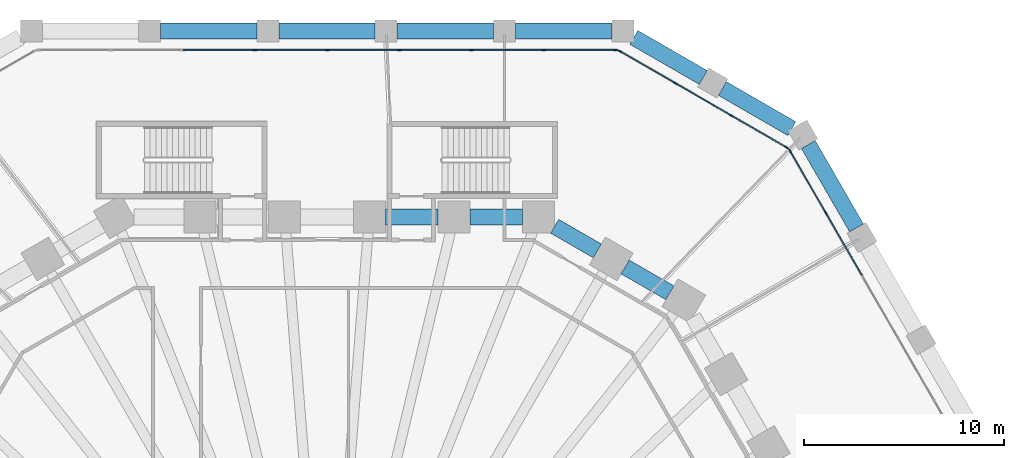
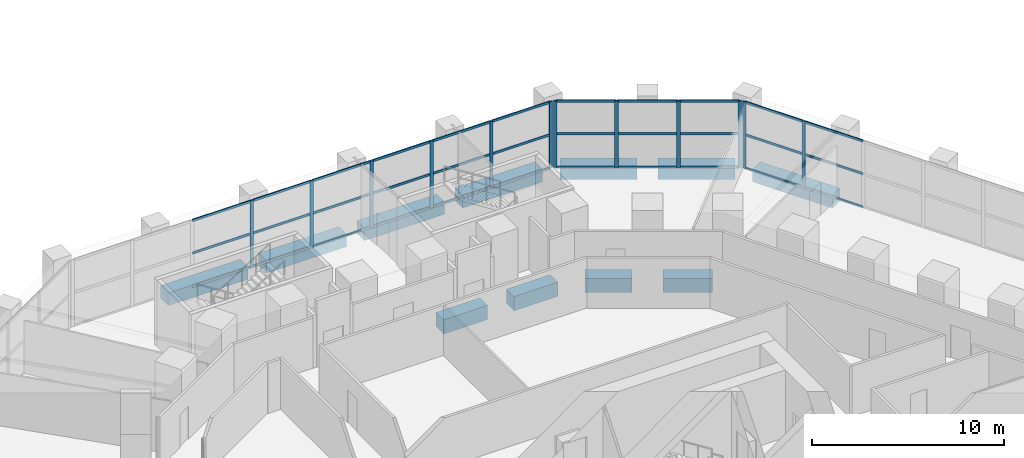
# One storey, part 13 of 38: 45 members, 11 beams, 3 elements without a shape of their own.
"""IFC4 building model written with IfcOpenShell, lengths in metres."""

from ifc_helpers import new_model, si_unit, direction, frame, origin, origin_2d, place, context, subcontext, project, spatial, rectangle, extrude, material, material_profile, profile_set, type_object, element, aggregate, save


model = new_model("IFC4")

# Units and contexts
model_context = context("Model", 3, precision=1e-05, world=origin(), true_north=direction((0.0, 1.0)))
body_context = subcontext(model_context, "Body", "Model", "MODEL_VIEW")
ifc_project = project(units=[si_unit("LENGTHUNIT", "METRE"), si_unit("AREAUNIT", "SQUARE_METRE"), si_unit("VOLUMEUNIT", "CUBIC_METRE"), si_unit("PLANEANGLEUNIT", "RADIAN"), si_unit("MASSUNIT", "GRAM", prefix="KILO")], contexts=[model_context])

# Site, building, storey
site_placement = place(None, origin())
site = spatial("IfcSite", under=ifc_project, at=site_placement, CompositionType="ELEMENT")
building_placement = place(site_placement, origin())
building = spatial("IfcBuilding", under=site, at=building_placement, Name="Frailejon Research Tower", CompositionType="ELEMENT")
storey_placement = place(building_placement, frame((0.0, 0.0, 5.60009765625)))
storey = spatial("IfcBuildingStorey", under=building, at=storey_placement, Name="L01", CompositionType="ELEMENT", Elevation=5.60009765625)

# Beams
ifc_material_1 = material(Name="Concrete C60/75", Category="concrete")
ifc_material_profile_1 = material_profile(ifc_material_1, rectangle(XDim=0.800048828125, YDim=0.800048828125, at=origin_2d()), Name="Base ring beam")
ifc_profile_set_1 = profile_set([ifc_material_profile_1], Name="Concrete C60/75")
beam_type_1 = type_object("IfcBeamType", Name="Base ring beam", PredefinedType="BEAM", material=ifc_profile_set_1)
beam_1_placement = place(storey_placement, frame((26.466552734375, 26.15869140625, -0.75), z_axis=(-0.500028306193, 0.866009060579, 0.0), x_axis=(-0.866009060579, -0.500028306193, 0.0)))
element("IfcBeam", 1, at=beam_1_placement, inside=storey, type_object=beam_type_1, Name="Base ring beam", PredefinedType="BEAM", context=body_context, shape_type="SweptSolid", body=[
    extrude(rectangle(XDim=0.800048828125, YDim=0.800048828125, at=origin_2d()), origin(), (0.0, 0.0, 1.0), 4.813720703125),
])
for number, where, z_axis, x_axis, name in (
    (2, (23.234619140625, 31.121337890625, -0.75), (-0.866013269967, 0.500021015799, 0.0), (-0.500021015799, -0.866013269967, 0.0), "Base ring beam"),
    (3, (18.808349609375, 33.677001953125, -0.75), (-0.866013269967, 0.500021015799, 0.0), (-0.500021015799, -0.866013269967, 0.0), "Base ring beam"),
):
    element("IfcBeam", number, at=place(storey_placement, frame(where, z_axis=z_axis, x_axis=x_axis)), inside=storey, type_object=beam_type_1, Name=name, PredefinedType="BEAM", context=body_context, shape_type="SweptSolid", body=[
        extrude(rectangle(XDim=0.800048828125, YDim=0.800048828125, at=origin_2d()), origin(), (0.0, 0.0, 1.0), 4.010986328125),
    ])
beam_2_placement = place(storey_placement, frame((14.234619140625, 36.0, -0.75), z_axis=(-1.0, 0.0, 0.0), x_axis=(0.0, -1.0, 0.0)))
element("IfcBeam", 4, at=beam_2_placement, inside=storey, type_object=beam_type_1, Name="Base ring beam", PredefinedType="BEAM", context=body_context, shape_type="SweptSolid", body=[
    extrude(rectangle(XDim=0.800048828125, YDim=0.800048828125, at=origin_2d()), origin(), (0.0, 0.0, 1.0), 4.813720703125),
])
for number, where, z_axis, x_axis, name in (
    (5, (8.32080078125, 36.0, -0.75), (-1.0, 0.0, 0.0), (0.0, -1.0, 0.0), "Base ring beam"),
    (6, (2.406982421875, 36.0, -0.75), (-1.0, 0.0, 0.0), (0.0, -1.0, 0.0), "Base ring beam"),
    (7, (-3.5068359375, 36.0, -0.75), (-1.0, 0.0, 0.0), (0.0, -1.0, 0.0), "Base ring beam"),
):
    element("IfcBeam", number, at=place(storey_placement, frame(where, z_axis=z_axis, x_axis=x_axis)), inside=storey, type_object=beam_type_1, Name=name, PredefinedType="BEAM", context=body_context, shape_type="SweptSolid", body=[
        extrude(rectangle(XDim=0.800048828125, YDim=0.800048828125, at=origin_2d()), origin(), (0.0, 0.0, 1.0), 4.81396484375),
    ])
ifc_material_2 = material(Name="Concrete C60/75", Category="concrete")
ifc_material_profile_2 = material_profile(ifc_material_2, rectangle(XDim=0.800048828125, YDim=0.89990234375, at=origin_2d()), Name="Podium ring beam")
ifc_profile_set_2 = profile_set([ifc_material_profile_2], Name="Concrete C60/75")
beam_type_2 = type_object("IfcBeamType", Name="Podium ring beam", PredefinedType="BEAM", material=ifc_profile_set_2)
beam_3_placement = place(storey_placement, frame((17.14013671875, 22.912353515625, -0.800048828125), z_axis=(-0.866004899711, 0.500035512416, 0.0), x_axis=(-0.500035512416, -0.866004899711, 0.0)))
element("IfcBeam", 8, at=beam_3_placement, inside=storey, type_object=beam_type_2, Name="Podium ring beam", PredefinedType="BEAM", context=body_context, shape_type="SweptSolid", body=[
    extrude(rectangle(XDim=0.800048828125, YDim=0.89990234375, at=origin_2d()), origin(), (0.0, 0.0, 1.0), 2.587646484375),
])
beam_4_placement = place(storey_placement, frame((13.513671875, 25.006103515625, -0.800048828125), z_axis=(-0.86602717807, 0.499996926835, 0.0), x_axis=(-0.499996926835, -0.86602717807, 0.0)))
element("IfcBeam", 9, at=beam_4_placement, inside=storey, type_object=beam_type_2, Name="Podium ring beam", PredefinedType="BEAM", context=body_context, shape_type="SweptSolid", body=[
    extrude(rectangle(XDim=0.800048828125, YDim=0.89990234375, at=origin_2d()), origin(), (0.0, 0.0, 1.0), 2.4638671875),
])
for number, where, z_axis, x_axis, name in (
    (10, (9.77978515625, 26.699951171875, -0.800048828125), (-1.0, 0.0, 0.0), (0.0, -1.0, 0.0), "Podium ring beam"),
    (11, (5.5478515625, 26.699951171875, -0.800048828125), (-1.0, 0.0, 0.0), (0.0, -1.0, 0.0), "Podium ring beam"),
):
    element("IfcBeam", number, at=place(storey_placement, frame(where, z_axis=z_axis, x_axis=x_axis)), inside=storey, type_object=beam_type_2, Name=name, PredefinedType="BEAM", context=body_context, shape_type="SweptSolid", body=[
        extrude(rectangle(XDim=0.800048828125, YDim=0.89990234375, at=origin_2d()), origin(), (0.0, 0.0, 1.0), 2.6318359375),
    ])

# Curtain wall, members
ifc_material_3 = material(Name="Aluminium curtain wall", Category="aluminium")
curtain_wall_type = type_object("IfcCurtainWallType", Name="Podium stick curtain wall system", PredefinedType="NOTDEFINED", material=ifc_material_3)
curtain_wall_1_placement = place(storey_placement, origin())
curtain_wall_1 = element("IfcCurtainWall", 12, at=curtain_wall_1_placement, inside=storey, type_object=curtain_wall_type, Name="Curtain wall L01", PredefinedType="NOTDEFINED")
ifc_material_4 = material(Name="Aluminium extrusion", Category="aluminium")
ifc_material_profile_3 = material_profile(ifc_material_4, rectangle(XDim=0.06005859375, YDim=0.199951171875, at=origin_2d()), Name="Podium stick curtain wall mullion 60x200")
ifc_profile_set_3 = profile_set([ifc_material_profile_3], Name="Aluminium extrusion")
member_type_1 = type_object("IfcMemberType", Name="Podium stick curtain wall mullion 60x200", PredefinedType="MULLION", material=ifc_profile_set_3)
member_1_placement = place(storey_placement, frame((24.94287109375, 26.897705078125, 0.0), z_axis=(0.0, 0.0, 1.0), x_axis=(-0.86602632934, -0.499998396888, 0.0)))
member_1 = element("IfcMember", 13, at=member_1_placement, type_object=member_type_1, Name="CW2-022 mullion 8", PredefinedType="MULLION", context=body_context, shape_type="SweptSolid", body=[
    extrude(rectangle(XDim=0.06005859375, YDim=0.199951171875, at=origin_2d()), origin(), (0.0, 0.0, 1.0), 4.25),
])
member_2_placement = place(storey_placement, frame((23.154296875, 29.995849609375, 0.0), z_axis=(0.0, 0.0, 1.0), x_axis=(-0.86602632934, -0.499998396888, 0.0)))
member_2 = element("IfcMember", 14, at=member_2_placement, type_object=member_type_1, Name="CW2-022 mullion 9", PredefinedType="MULLION", context=body_context, shape_type="SweptSolid", body=[
    extrude(rectangle(XDim=0.06005859375, YDim=0.199951171875, at=origin_2d()), origin(), (0.0, 0.0, 1.0), 4.25),
])

curtain_wall_2_placement = place(storey_placement, origin())
curtain_wall_2 = element("IfcCurtainWall", 15, at=curtain_wall_2_placement, inside=storey, type_object=curtain_wall_type, Name="Curtain wall L01", PredefinedType="NOTDEFINED")
member_3_placement = place(storey_placement, frame((22.9765625, 30.17333984375, 0.0), z_axis=(0.0, 0.0, 1.0), x_axis=(-0.499999874334, -0.866025476338, 0.0)))
member_3 = element("IfcMember", 16, at=member_3_placement, type_object=member_type_1, Name="CW2-023 mullion 1", PredefinedType="MULLION", context=body_context, shape_type="SweptSolid", body=[
    extrude(rectangle(XDim=0.06005859375, YDim=0.199951171875, at=origin_2d()), origin(), (0.0, 0.0, 1.0), 4.25),
])
member_4_placement = place(storey_placement, frame((20.207275390625, 31.772216796875, 0.0), z_axis=(0.0, 0.0, 1.0), x_axis=(-0.499999874334, -0.866025476338, 0.0)))
member_4 = element("IfcMember", 17, at=member_4_placement, type_object=member_type_1, Name="CW2-023 mullion 2", PredefinedType="MULLION", context=body_context, shape_type="SweptSolid", body=[
    extrude(rectangle(XDim=0.06005859375, YDim=0.199951171875, at=origin_2d()), origin(), (0.0, 0.0, 1.0), 4.25),
])
member_5_placement = place(storey_placement, frame((17.412109375, 33.38623046875, 0.0), z_axis=(0.0, 0.0, 1.0), x_axis=(-0.499999874334, -0.866025476338, 0.0)))
member_5 = element("IfcMember", 18, at=member_5_placement, type_object=member_type_1, Name="CW2-023 mullion 3", PredefinedType="MULLION", context=body_context, shape_type="SweptSolid", body=[
    extrude(rectangle(XDim=0.06005859375, YDim=0.199951171875, at=origin_2d()), origin(), (0.0, 0.0, 1.0), 4.25),
])
member_6_placement = place(storey_placement, frame((14.642578125, 34.985107421875, 0.0), z_axis=(0.0, 0.0, 1.0), x_axis=(-0.499999874334, -0.866025476338, 0.0)))
member_6 = element("IfcMember", 19, at=member_6_placement, type_object=member_type_1, Name="CW2-023 mullion 4", PredefinedType="MULLION", context=body_context, shape_type="SweptSolid", body=[
    extrude(rectangle(XDim=0.06005859375, YDim=0.199951171875, at=origin_2d()), origin(), (0.0, 0.0, 1.0), 4.25),
])

curtain_wall_3_placement = place(storey_placement, origin())
curtain_wall_3 = element("IfcCurtainWall", 20, at=curtain_wall_3_placement, inside=storey, type_object=curtain_wall_type, Name="Curtain wall L01", PredefinedType="NOTDEFINED")
member_7_placement = place(storey_placement, frame((14.400146484375, 35.050048828125, 0.0), z_axis=(0.0, 0.0, 1.0), x_axis=(0.0, -1.0, 0.0)))
member_7 = element("IfcMember", 21, at=member_7_placement, type_object=member_type_1, Name="CW2-024 mullion 1", PredefinedType="MULLION", context=body_context, shape_type="SweptSolid", body=[
    extrude(rectangle(XDim=0.06005859375, YDim=0.199951171875, at=origin_2d()), origin(), (0.0, 0.0, 1.0), 4.25),
])
member_8_placement = place(storey_placement, frame((10.822509765625, 35.050048828125, 0.0), z_axis=(0.0, 0.0, 1.0), x_axis=(0.0, -1.0, 0.0)))
member_8 = element("IfcMember", 22, at=member_8_placement, type_object=member_type_1, Name="CW2-024 mullion 2", PredefinedType="MULLION", context=body_context, shape_type="SweptSolid", body=[
    extrude(rectangle(XDim=0.06005859375, YDim=0.199951171875, at=origin_2d()), origin(), (0.0, 0.0, 1.0), 4.25),
])
member_9_placement = place(storey_placement, frame((7.215087890625, 35.050048828125, 0.0), z_axis=(0.0, 0.0, 1.0), x_axis=(0.0, -1.0, 0.0)))
member_9 = element("IfcMember", 23, at=member_9_placement, type_object=member_type_1, Name="CW2-024 mullion 3", PredefinedType="MULLION", context=body_context, shape_type="SweptSolid", body=[
    extrude(rectangle(XDim=0.06005859375, YDim=0.199951171875, at=origin_2d()), origin(), (0.0, 0.0, 1.0), 4.25),
])
member_10_placement = place(storey_placement, frame((3.607421875, 35.050048828125, 0.0), z_axis=(0.0, 0.0, 1.0), x_axis=(0.0, -1.0, 0.0)))
member_10 = element("IfcMember", 24, at=member_10_placement, type_object=member_type_1, Name="CW2-024 mullion 4", PredefinedType="MULLION", context=body_context, shape_type="SweptSolid", body=[
    extrude(rectangle(XDim=0.06005859375, YDim=0.199951171875, at=origin_2d()), origin(), (0.0, 0.0, 1.0), 4.25),
])
member_11_placement = place(storey_placement, frame((0.0, 35.050048828125, 0.0), z_axis=(0.0, 0.0, 1.0), x_axis=(0.0, -1.0, 0.0)))
member_11 = element("IfcMember", 25, at=member_11_placement, type_object=member_type_1, Name="CW2-024 mullion 5", PredefinedType="MULLION", context=body_context, shape_type="SweptSolid", body=[
    extrude(rectangle(XDim=0.06005859375, YDim=0.199951171875, at=origin_2d()), origin(), (0.0, 0.0, 1.0), 4.25),
])
member_12_placement = place(storey_placement, frame((-3.607421875, 35.050048828125, 0.0), z_axis=(0.0, 0.0, 1.0), x_axis=(0.0, -1.0, 0.0)))
member_12 = element("IfcMember", 26, at=member_12_placement, type_object=member_type_1, Name="CW2-024 mullion 6", PredefinedType="MULLION", context=body_context, shape_type="SweptSolid", body=[
    extrude(rectangle(XDim=0.06005859375, YDim=0.199951171875, at=origin_2d()), origin(), (0.0, 0.0, 1.0), 4.25),
])

# Member
ifc_material_5 = material(Name="Aluminium extrusion", Category="aluminium")
ifc_material_profile_4 = material_profile(ifc_material_5, rectangle(XDim=0.06005859375, YDim=0.14990234375, at=origin_2d()), Name="Podium stick curtain wall transom 60x150")
ifc_profile_set_4 = profile_set([ifc_material_profile_4], Name="Aluminium extrusion")
member_type_2 = type_object("IfcMemberType", Name="Podium stick curtain wall transom 60x150", PredefinedType="USERDEFINED", material=ifc_profile_set_4)
member_13_placement = place(storey_placement, frame((26.731689453125, 23.79931640625, 0.02978515625), z_axis=(-0.499980603476, 0.866036602083, 0.0), x_axis=(-0.866036602083, -0.499980603476, 0.0)))
member_13 = element("IfcMember", 27, at=member_13_placement, type_object=member_type_2, Name="CW2-022 transom 7.1", ObjectType="TRANSOM", PredefinedType="USERDEFINED", context=body_context, shape_type="SweptSolid", body=[
    extrude(rectangle(XDim=0.06005859375, YDim=0.14990234375, at=origin_2d()), origin(), (0.0, 0.0, 1.0), 3.547607421875),
])

member_14_placement = place(storey_placement, frame((26.731689453125, 23.79931640625, 2.14990234375), z_axis=(-0.499980603476, 0.866036602083, 0.0), x_axis=(-0.866036602083, -0.499980603476, 0.0)))
member_14 = element("IfcMember", 28, at=member_14_placement, type_object=member_type_2, Name="CW2-022 transom 7.2", ObjectType="TRANSOM", PredefinedType="USERDEFINED", context=body_context, shape_type="SweptSolid", body=[
    extrude(rectangle(XDim=0.06005859375, YDim=0.14990234375, at=origin_2d()), origin(), (0.0, 0.0, 1.0), 3.547607421875),
])

member_15_placement = place(storey_placement, frame((26.731689453125, 23.79931640625, 4.219970703125), z_axis=(-0.499980603476, 0.866036602083, 0.0), x_axis=(-0.866036602083, -0.499980603476, 0.0)))
member_15 = element("IfcMember", 29, at=member_15_placement, type_object=member_type_2, Name="CW2-022 transom 7.3", ObjectType="TRANSOM", PredefinedType="USERDEFINED", context=body_context, shape_type="SweptSolid", body=[
    extrude(rectangle(XDim=0.06005859375, YDim=0.14990234375, at=origin_2d()), origin(), (0.0, 0.0, 1.0), 3.547607421875),
])

member_16_placement = place(storey_placement, frame((24.927978515625, 26.923583984375, 0.02978515625), z_axis=(-0.500020858477, 0.866013360802, 0.0), x_axis=(-0.866013360802, -0.500020858477, 0.0)))
member_16 = element("IfcMember", 30, at=member_16_placement, type_object=member_type_2, Name="CW2-022 transom 8.1", ObjectType="TRANSOM", PredefinedType="USERDEFINED", context=body_context, shape_type="SweptSolid", body=[
    extrude(rectangle(XDim=0.06005859375, YDim=0.14990234375, at=origin_2d()), origin(), (0.0, 0.0, 1.0), 3.517333984375),
])

member_17_placement = place(storey_placement, frame((24.927978515625, 26.923583984375, 2.14990234375), z_axis=(-0.500020858477, 0.866013360802, 0.0), x_axis=(-0.866013360802, -0.500020858477, 0.0)))
member_17 = element("IfcMember", 31, at=member_17_placement, type_object=member_type_2, Name="CW2-022 transom 8.2", ObjectType="TRANSOM", PredefinedType="USERDEFINED", context=body_context, shape_type="SweptSolid", body=[
    extrude(rectangle(XDim=0.06005859375, YDim=0.14990234375, at=origin_2d()), origin(), (0.0, 0.0, 1.0), 3.517333984375),
])

member_18_placement = place(storey_placement, frame((24.927978515625, 26.923583984375, 4.219970703125), z_axis=(-0.500020858477, 0.866013360802, 0.0), x_axis=(-0.866013360802, -0.500020858477, 0.0)))
member_18 = element("IfcMember", 32, at=member_18_placement, type_object=member_type_2, Name="CW2-022 transom 8.3", ObjectType="TRANSOM", PredefinedType="USERDEFINED", context=body_context, shape_type="SweptSolid", body=[
    extrude(rectangle(XDim=0.06005859375, YDim=0.14990234375, at=origin_2d()), origin(), (0.0, 0.0, 1.0), 3.517333984375),
])

aggregate(curtain_wall_1, [member_1, member_2, member_13, member_14, member_15, member_16, member_17, member_18])

member_19_placement = place(storey_placement, frame((22.95068359375, 30.1884765625, 0.02978515625), z_axis=(-0.866022320763, 0.500005339912, 0.0), x_axis=(-0.500005339912, -0.866022320763, 0.0)))
member_19 = element("IfcMember", 33, at=member_19_placement, type_object=member_type_2, Name="CW2-023 transom 1.1", ObjectType="TRANSOM", PredefinedType="USERDEFINED", context=body_context, shape_type="SweptSolid", body=[
    extrude(rectangle(XDim=0.06005859375, YDim=0.14990234375, at=origin_2d()), origin(), (0.0, 0.0, 1.0), 3.1376953125),
])

member_20_placement = place(storey_placement, frame((22.95068359375, 30.1884765625, 2.14990234375), z_axis=(-0.866022320763, 0.500005339912, 0.0), x_axis=(-0.500005339912, -0.866022320763, 0.0)))
member_20 = element("IfcMember", 34, at=member_20_placement, type_object=member_type_2, Name="CW2-023 transom 1.2", ObjectType="TRANSOM", PredefinedType="USERDEFINED", context=body_context, shape_type="SweptSolid", body=[
    extrude(rectangle(XDim=0.06005859375, YDim=0.14990234375, at=origin_2d()), origin(), (0.0, 0.0, 1.0), 3.1376953125),
])

member_21_placement = place(storey_placement, frame((22.95068359375, 30.1884765625, 4.219970703125), z_axis=(-0.866022320763, 0.500005339912, 0.0), x_axis=(-0.500005339912, -0.866022320763, 0.0)))
member_21 = element("IfcMember", 35, at=member_21_placement, type_object=member_type_2, Name="CW2-023 transom 1.3", ObjectType="TRANSOM", PredefinedType="USERDEFINED", context=body_context, shape_type="SweptSolid", body=[
    extrude(rectangle(XDim=0.06005859375, YDim=0.14990234375, at=origin_2d()), origin(), (0.0, 0.0, 1.0), 3.1376953125),
])

member_22_placement = place(storey_placement, frame((20.181396484375, 31.787353515625, 0.02978515625), z_axis=(-0.866048262394, 0.499960405637, 0.0), x_axis=(-0.499960405637, -0.866048262394, 0.0)))
member_22 = element("IfcMember", 36, at=member_22_placement, type_object=member_type_2, Name="CW2-023 transom 2.1", ObjectType="TRANSOM", PredefinedType="USERDEFINED", context=body_context, shape_type="SweptSolid", body=[
    extrude(rectangle(XDim=0.06005859375, YDim=0.14990234375, at=origin_2d()), origin(), (0.0, 0.0, 1.0), 3.167724609375),
])

member_23_placement = place(storey_placement, frame((20.181396484375, 31.787353515625, 2.14990234375), z_axis=(-0.866048262394, 0.499960405637, 0.0), x_axis=(-0.499960405637, -0.866048262394, 0.0)))
member_23 = element("IfcMember", 37, at=member_23_placement, type_object=member_type_2, Name="CW2-023 transom 2.2", ObjectType="TRANSOM", PredefinedType="USERDEFINED", context=body_context, shape_type="SweptSolid", body=[
    extrude(rectangle(XDim=0.06005859375, YDim=0.14990234375, at=origin_2d()), origin(), (0.0, 0.0, 1.0), 3.167724609375),
])

member_24_placement = place(storey_placement, frame((20.181396484375, 31.787353515625, 4.219970703125), z_axis=(-0.866048262394, 0.499960405637, 0.0), x_axis=(-0.499960405637, -0.866048262394, 0.0)))
member_24 = element("IfcMember", 38, at=member_24_placement, type_object=member_type_2, Name="CW2-023 transom 2.3", ObjectType="TRANSOM", PredefinedType="USERDEFINED", context=body_context, shape_type="SweptSolid", body=[
    extrude(rectangle(XDim=0.06005859375, YDim=0.14990234375, at=origin_2d()), origin(), (0.0, 0.0, 1.0), 3.167724609375),
])

member_25_placement = place(storey_placement, frame((17.385986328125, 33.401123046875, 0.02978515625), z_axis=(-0.866022320763, 0.500005339912, 0.0), x_axis=(-0.500005339912, -0.866022320763, 0.0)))
member_25 = element("IfcMember", 39, at=member_25_placement, type_object=member_type_2, Name="CW2-023 transom 3.1", ObjectType="TRANSOM", PredefinedType="USERDEFINED", context=body_context, shape_type="SweptSolid", body=[
    extrude(rectangle(XDim=0.06005859375, YDim=0.14990234375, at=origin_2d()), origin(), (0.0, 0.0, 1.0), 3.1376953125),
])

member_26_placement = place(storey_placement, frame((17.385986328125, 33.401123046875, 2.14990234375), z_axis=(-0.866022320763, 0.500005339912, 0.0), x_axis=(-0.500005339912, -0.866022320763, 0.0)))
member_26 = element("IfcMember", 40, at=member_26_placement, type_object=member_type_2, Name="CW2-023 transom 3.2", ObjectType="TRANSOM", PredefinedType="USERDEFINED", context=body_context, shape_type="SweptSolid", body=[
    extrude(rectangle(XDim=0.06005859375, YDim=0.14990234375, at=origin_2d()), origin(), (0.0, 0.0, 1.0), 3.1376953125),
])

member_27_placement = place(storey_placement, frame((17.385986328125, 33.401123046875, 4.219970703125), z_axis=(-0.866022320763, 0.500005339912, 0.0), x_axis=(-0.500005339912, -0.866022320763, 0.0)))
member_27 = element("IfcMember", 41, at=member_27_placement, type_object=member_type_2, Name="CW2-023 transom 3.3", ObjectType="TRANSOM", PredefinedType="USERDEFINED", context=body_context, shape_type="SweptSolid", body=[
    extrude(rectangle(XDim=0.06005859375, YDim=0.14990234375, at=origin_2d()), origin(), (0.0, 0.0, 1.0), 3.1376953125),
])

aggregate(curtain_wall_2, [member_3, member_4, member_5, member_6, member_19, member_20, member_21, member_22, member_23, member_24, member_25, member_26, member_27])

member_28_placement = place(storey_placement, frame((14.3701171875, 35.050048828125, 0.02978515625), z_axis=(-1.0, 0.0, 0.0), x_axis=(0.0, -1.0, 0.0)))
member_28 = element("IfcMember", 42, at=member_28_placement, type_object=member_type_2, Name="CW2-024 transom 1.1", ObjectType="TRANSOM", PredefinedType="USERDEFINED", context=body_context, shape_type="SweptSolid", body=[
    extrude(rectangle(XDim=0.06005859375, YDim=0.14990234375, at=origin_2d()), origin(), (0.0, 0.0, 1.0), 3.517578125),
])

member_29_placement = place(storey_placement, frame((14.3701171875, 35.050048828125, 2.14990234375), z_axis=(-1.0, 0.0, 0.0), x_axis=(0.0, -1.0, 0.0)))
member_29 = element("IfcMember", 43, at=member_29_placement, type_object=member_type_2, Name="CW2-024 transom 1.2", ObjectType="TRANSOM", PredefinedType="USERDEFINED", context=body_context, shape_type="SweptSolid", body=[
    extrude(rectangle(XDim=0.06005859375, YDim=0.14990234375, at=origin_2d()), origin(), (0.0, 0.0, 1.0), 3.517578125),
])

member_30_placement = place(storey_placement, frame((14.3701171875, 35.050048828125, 4.219970703125), z_axis=(-1.0, 0.0, 0.0), x_axis=(0.0, -1.0, 0.0)))
member_30 = element("IfcMember", 44, at=member_30_placement, type_object=member_type_2, Name="CW2-024 transom 1.3", ObjectType="TRANSOM", PredefinedType="USERDEFINED", context=body_context, shape_type="SweptSolid", body=[
    extrude(rectangle(XDim=0.06005859375, YDim=0.14990234375, at=origin_2d()), origin(), (0.0, 0.0, 1.0), 3.517578125),
])

member_31_placement = place(storey_placement, frame((10.79248046875, 35.050048828125, 0.02978515625), z_axis=(-1.0, 0.0, 0.0), x_axis=(0.0, -1.0, 0.0)))
member_31 = element("IfcMember", 45, at=member_31_placement, type_object=member_type_2, Name="CW2-024 transom 2.1", ObjectType="TRANSOM", PredefinedType="USERDEFINED", context=body_context, shape_type="SweptSolid", body=[
    extrude(rectangle(XDim=0.06005859375, YDim=0.14990234375, at=origin_2d()), origin(), (0.0, 0.0, 1.0), 3.54736328125),
])

member_32_placement = place(storey_placement, frame((10.79248046875, 35.050048828125, 2.14990234375), z_axis=(-1.0, 0.0, 0.0), x_axis=(0.0, -1.0, 0.0)))
member_32 = element("IfcMember", 46, at=member_32_placement, type_object=member_type_2, Name="CW2-024 transom 2.2", ObjectType="TRANSOM", PredefinedType="USERDEFINED", context=body_context, shape_type="SweptSolid", body=[
    extrude(rectangle(XDim=0.06005859375, YDim=0.14990234375, at=origin_2d()), origin(), (0.0, 0.0, 1.0), 3.54736328125),
])

member_33_placement = place(storey_placement, frame((10.79248046875, 35.050048828125, 4.219970703125), z_axis=(-1.0, 0.0, 0.0), x_axis=(0.0, -1.0, 0.0)))
member_33 = element("IfcMember", 47, at=member_33_placement, type_object=member_type_2, Name="CW2-024 transom 2.3", ObjectType="TRANSOM", PredefinedType="USERDEFINED", context=body_context, shape_type="SweptSolid", body=[
    extrude(rectangle(XDim=0.06005859375, YDim=0.14990234375, at=origin_2d()), origin(), (0.0, 0.0, 1.0), 3.54736328125),
])

member_34_placement = place(storey_placement, frame((7.18505859375, 35.050048828125, 0.02978515625), z_axis=(-1.0, 0.0, 0.0), x_axis=(0.0, -1.0, 0.0)))
member_34 = element("IfcMember", 48, at=member_34_placement, type_object=member_type_2, Name="CW2-024 transom 3.1", ObjectType="TRANSOM", PredefinedType="USERDEFINED", context=body_context, shape_type="SweptSolid", body=[
    extrude(rectangle(XDim=0.06005859375, YDim=0.14990234375, at=origin_2d()), origin(), (0.0, 0.0, 1.0), 3.547607421875),
])

member_35_placement = place(storey_placement, frame((7.18505859375, 35.050048828125, 2.14990234375), z_axis=(-1.0, 0.0, 0.0), x_axis=(0.0, -1.0, 0.0)))
member_35 = element("IfcMember", 49, at=member_35_placement, type_object=member_type_2, Name="CW2-024 transom 3.2", ObjectType="TRANSOM", PredefinedType="USERDEFINED", context=body_context, shape_type="SweptSolid", body=[
    extrude(rectangle(XDim=0.06005859375, YDim=0.14990234375, at=origin_2d()), origin(), (0.0, 0.0, 1.0), 3.547607421875),
])

member_36_placement = place(storey_placement, frame((7.18505859375, 35.050048828125, 4.219970703125), z_axis=(-1.0, 0.0, 0.0), x_axis=(0.0, -1.0, 0.0)))
member_36 = element("IfcMember", 50, at=member_36_placement, type_object=member_type_2, Name="CW2-024 transom 3.3", ObjectType="TRANSOM", PredefinedType="USERDEFINED", context=body_context, shape_type="SweptSolid", body=[
    extrude(rectangle(XDim=0.06005859375, YDim=0.14990234375, at=origin_2d()), origin(), (0.0, 0.0, 1.0), 3.547607421875),
])

member_37_placement = place(storey_placement, frame((3.57763671875, 35.050048828125, 0.02978515625), z_axis=(-1.0, 0.0, 0.0), x_axis=(0.0, -1.0, 0.0)))
member_37 = element("IfcMember", 51, at=member_37_placement, type_object=member_type_2, Name="CW2-024 transom 4.1", ObjectType="TRANSOM", PredefinedType="USERDEFINED", context=body_context, shape_type="SweptSolid", body=[
    extrude(rectangle(XDim=0.06005859375, YDim=0.14990234375, at=origin_2d()), origin(), (0.0, 0.0, 1.0), 3.547607421875),
])

member_38_placement = place(storey_placement, frame((3.57763671875, 35.050048828125, 2.14990234375), z_axis=(-1.0, 0.0, 0.0), x_axis=(0.0, -1.0, 0.0)))
member_38 = element("IfcMember", 52, at=member_38_placement, type_object=member_type_2, Name="CW2-024 transom 4.2", ObjectType="TRANSOM", PredefinedType="USERDEFINED", context=body_context, shape_type="SweptSolid", body=[
    extrude(rectangle(XDim=0.06005859375, YDim=0.14990234375, at=origin_2d()), origin(), (0.0, 0.0, 1.0), 3.547607421875),
])

member_39_placement = place(storey_placement, frame((3.57763671875, 35.050048828125, 4.219970703125), z_axis=(-1.0, 0.0, 0.0), x_axis=(0.0, -1.0, 0.0)))
member_39 = element("IfcMember", 53, at=member_39_placement, type_object=member_type_2, Name="CW2-024 transom 4.3", ObjectType="TRANSOM", PredefinedType="USERDEFINED", context=body_context, shape_type="SweptSolid", body=[
    extrude(rectangle(XDim=0.06005859375, YDim=0.14990234375, at=origin_2d()), origin(), (0.0, 0.0, 1.0), 3.547607421875),
])

member_40_placement = place(storey_placement, frame((-0.030029296875, 35.050048828125, 0.02978515625), z_axis=(-1.0, 0.0, 0.0), x_axis=(0.0, -1.0, 0.0)))
member_40 = element("IfcMember", 54, at=member_40_placement, type_object=member_type_2, Name="CW2-024 transom 5.1", ObjectType="TRANSOM", PredefinedType="USERDEFINED", context=body_context, shape_type="SweptSolid", body=[
    extrude(rectangle(XDim=0.06005859375, YDim=0.14990234375, at=origin_2d()), origin(), (0.0, 0.0, 1.0), 3.547607421875),
])

member_41_placement = place(storey_placement, frame((-0.030029296875, 35.050048828125, 2.14990234375), z_axis=(-1.0, 0.0, 0.0), x_axis=(0.0, -1.0, 0.0)))
member_41 = element("IfcMember", 55, at=member_41_placement, type_object=member_type_2, Name="CW2-024 transom 5.2", ObjectType="TRANSOM", PredefinedType="USERDEFINED", context=body_context, shape_type="SweptSolid", body=[
    extrude(rectangle(XDim=0.06005859375, YDim=0.14990234375, at=origin_2d()), origin(), (0.0, 0.0, 1.0), 3.547607421875),
])

member_42_placement = place(storey_placement, frame((-0.030029296875, 35.050048828125, 4.219970703125), z_axis=(-1.0, 0.0, 0.0), x_axis=(0.0, -1.0, 0.0)))
member_42 = element("IfcMember", 56, at=member_42_placement, type_object=member_type_2, Name="CW2-024 transom 5.3", ObjectType="TRANSOM", PredefinedType="USERDEFINED", context=body_context, shape_type="SweptSolid", body=[
    extrude(rectangle(XDim=0.06005859375, YDim=0.14990234375, at=origin_2d()), origin(), (0.0, 0.0, 1.0), 3.547607421875),
])

member_43_placement = place(storey_placement, frame((-3.637451171875, 35.050048828125, 0.02978515625), z_axis=(-1.0, 0.0, 0.0), x_axis=(0.0, -1.0, 0.0)))
member_43 = element("IfcMember", 57, at=member_43_placement, type_object=member_type_2, Name="CW2-024 transom 6.1", ObjectType="TRANSOM", PredefinedType="USERDEFINED", context=body_context, shape_type="SweptSolid", body=[
    extrude(rectangle(XDim=0.06005859375, YDim=0.14990234375, at=origin_2d()), origin(), (0.0, 0.0, 1.0), 3.547607421875),
])

member_44_placement = place(storey_placement, frame((-3.637451171875, 35.050048828125, 2.14990234375), z_axis=(-1.0, 0.0, 0.0), x_axis=(0.0, -1.0, 0.0)))
member_44 = element("IfcMember", 58, at=member_44_placement, type_object=member_type_2, Name="CW2-024 transom 6.2", ObjectType="TRANSOM", PredefinedType="USERDEFINED", context=body_context, shape_type="SweptSolid", body=[
    extrude(rectangle(XDim=0.06005859375, YDim=0.14990234375, at=origin_2d()), origin(), (0.0, 0.0, 1.0), 3.547607421875),
])

member_45_placement = place(storey_placement, frame((-3.637451171875, 35.050048828125, 4.219970703125), z_axis=(-1.0, 0.0, 0.0), x_axis=(0.0, -1.0, 0.0)))
member_45 = element("IfcMember", 59, at=member_45_placement, type_object=member_type_2, Name="CW2-024 transom 6.3", ObjectType="TRANSOM", PredefinedType="USERDEFINED", context=body_context, shape_type="SweptSolid", body=[
    extrude(rectangle(XDim=0.06005859375, YDim=0.14990234375, at=origin_2d()), origin(), (0.0, 0.0, 1.0), 3.547607421875),
])

aggregate(curtain_wall_3, [member_7, member_8, member_9, member_10, member_11, member_12, member_28, member_29, member_30, member_31, member_32, member_33, member_34, member_35, member_36, member_37, member_38, member_39, member_40, member_41, member_42, member_43, member_44, member_45])

save(model, "model.ifc")
